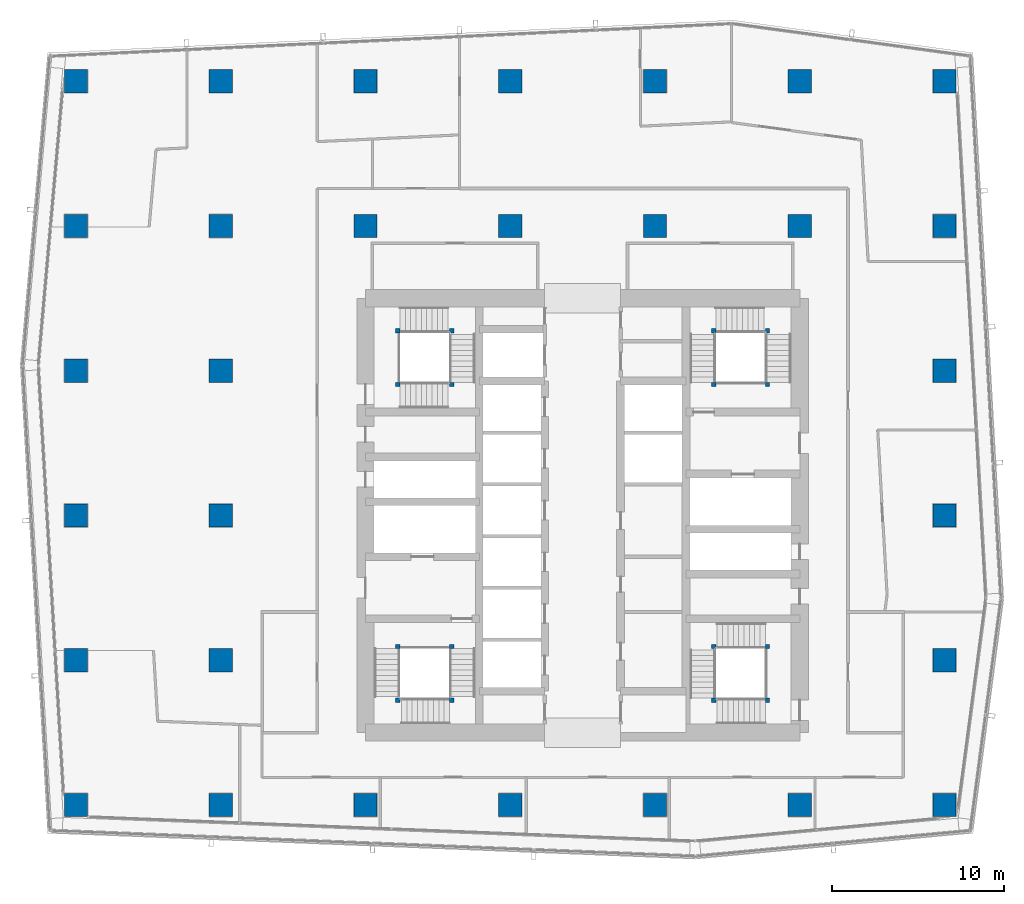
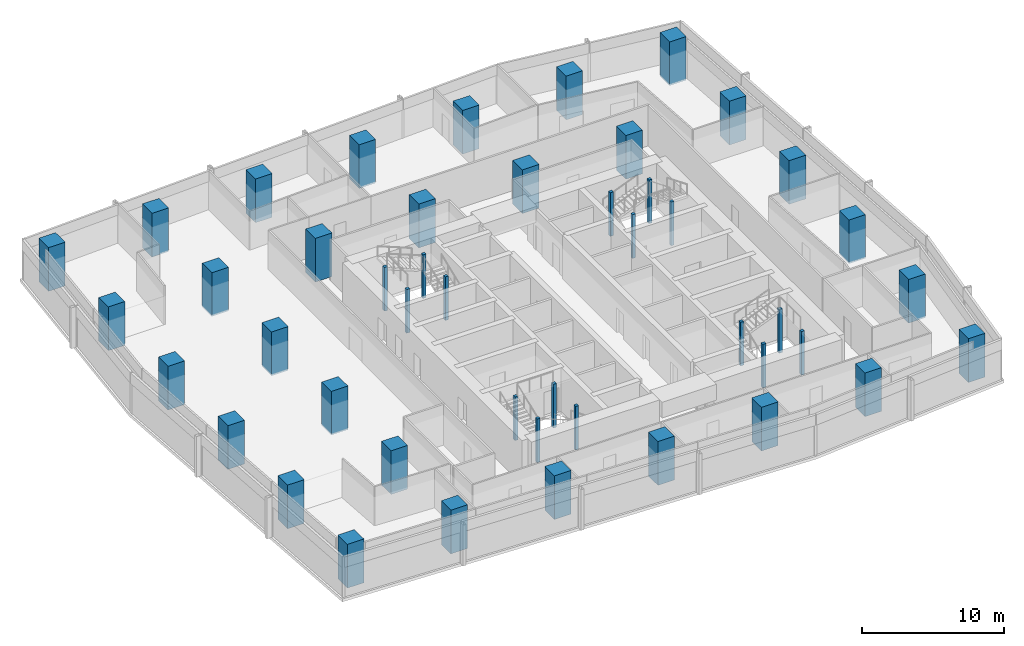
# One storey, part 1 of 40: 46 columns.
"""IFC4 building model written with IfcOpenShell, lengths in metres."""

from ifc_helpers import new_model, si_unit, direction, frame, origin, origin_2d, place, context, subcontext, project, spatial, rectangle, extrude, material, material_profile, profile_set, type_object, element, save


model = new_model("IFC4")

# Units and contexts
model_context = context("Model", 3, precision=1e-05, world=origin(), true_north=direction((0.0, 1.0)))
body_context = subcontext(model_context, "Body", "Model", "MODEL_VIEW")
ifc_project = project(units=[si_unit("LENGTHUNIT", "METRE"), si_unit("AREAUNIT", "SQUARE_METRE"), si_unit("VOLUMEUNIT", "CUBIC_METRE"), si_unit("PLANEANGLEUNIT", "RADIAN"), si_unit("MASSUNIT", "GRAM", prefix="KILO")], contexts=[model_context])

# Site, building, storey
site_placement = place(None, origin())
site = spatial("IfcSite", under=ifc_project, at=site_placement, CompositionType="ELEMENT")
building_placement = place(site_placement, origin())
building = spatial("IfcBuilding", under=site, at=building_placement, Name="Rekha Terrace Tower", CompositionType="ELEMENT")
storey_placement = place(building_placement, frame((0.0, 0.0, 213.949951171875)))
storey = spatial("IfcBuildingStorey", under=building, at=storey_placement, Name="L54", CompositionType="ELEMENT", Elevation=213.949951171875)

# Columns
ifc_material_1 = material(Name="Concrete M70", Category="concrete")
ifc_material_profile_1 = material_profile(ifc_material_1, rectangle(XDim=1.35009765625, YDim=1.35009765625, at=origin_2d()), Name="RC 1350x1350")
ifc_profile_set_1 = profile_set([ifc_material_profile_1], Name="Concrete M70")
column_type_1 = type_object("IfcColumnType", Name="C4 1350x1350 column", PredefinedType="COLUMN", material=ifc_profile_set_1)
for number, where, z_axis, x_axis, name in (
    (1, (8.39990234375, 16.800048828125, 0.0), (0.0, 0.0, 1.0), (1.0, 0.0, 0.0), "Column C4 2/C L54"),
    (2, (8.39990234375, 25.199951171875, 0.0), (0.0, 0.0, 1.0), (1.0, 0.0, 0.0), "Column C4 2/D L54"),
    (3, (8.39990234375, 33.60009765625, 0.0), (0.0, 0.0, 1.0), (1.0, 0.0, 0.0), "Column C4 2/E L54"),
    (4, (8.39990234375, 42.0, 0.0), (0.0, 0.0, 1.0), (1.0, 0.0, 0.0), "Column C4 2/F L54"),
    (5, (8.39990234375, 50.39990234375, 0.0), (0.0, 0.0, 1.0), (1.0, 0.0, 0.0), "Column C4 2/G L54"),
    (6, (8.39990234375, 58.800048828125, 0.0), (0.0, 0.0, 1.0), (1.0, 0.0, 0.0), "Column C4 2/H L54"),
    (7, (16.800048828125, 16.800048828125, 0.0), (0.0, 0.0, 1.0), (1.0, 0.0, 0.0), "Column C4 3/C L54"),
    (8, (16.800048828125, 25.199951171875, 0.0), (0.0, 0.0, 1.0), (1.0, 0.0, 0.0), "Column C4 3/D L54"),
    (9, (16.800048828125, 33.60009765625, 0.0), (0.0, 0.0, 1.0), (1.0, 0.0, 0.0), "Column C4 3/E L54"),
    (10, (16.800048828125, 42.0, 0.0), (0.0, 0.0, 1.0), (1.0, 0.0, 0.0), "Column C4 3/F L54"),
    (11, (16.800048828125, 50.39990234375, 0.0), (0.0, 0.0, 1.0), (1.0, 0.0, 0.0), "Column C4 3/G L54"),
    (12, (16.800048828125, 58.800048828125, 0.0), (0.0, 0.0, 1.0), (1.0, 0.0, 0.0), "Column C4 3/H L54"),
    (13, (25.199951171875, 16.800048828125, 0.0), (0.0, 0.0, 1.0), (1.0, 0.0, 0.0), "Column C4 4/C L54"),
    (14, (25.199951171875, 50.39990234375, 0.0), (0.0, 0.0, 1.0), (1.0, 0.0, 0.0), "Column C4 4/G L54"),
    (15, (25.199951171875, 58.800048828125, 0.0), (0.0, 0.0, 1.0), (1.0, 0.0, 0.0), "Column C4 4/H L54"),
    (16, (33.60009765625, 16.800048828125, 0.0), (0.0, 0.0, 1.0), (1.0, 0.0, 0.0), "Column C4 5/C L54"),
    (17, (33.60009765625, 50.39990234375, 0.0), (0.0, 0.0, 1.0), (1.0, 0.0, 0.0), "Column C4 5/G L54"),
    (18, (33.60009765625, 58.800048828125, 0.0), (0.0, 0.0, 1.0), (1.0, 0.0, 0.0), "Column C4 5/H L54"),
    (19, (42.0, 16.800048828125, 0.0), (0.0, 0.0, 1.0), (1.0, 0.0, 0.0), "Column C4 6/C L54"),
    (20, (42.0, 50.39990234375, 0.0), (0.0, 0.0, 1.0), (1.0, 0.0, 0.0), "Column C4 6/G L54"),
    (21, (42.0, 58.800048828125, 0.0), (0.0, 0.0, 1.0), (1.0, 0.0, 0.0), "Column C4 6/H L54"),
    (22, (50.39990234375, 16.800048828125, 0.0), (0.0, 0.0, 1.0), (1.0, 0.0, 0.0), "Column C4 7/C L54"),
    (23, (50.39990234375, 50.39990234375, 0.0), (0.0, 0.0, 1.0), (1.0, 0.0, 0.0), "Column C4 7/G L54"),
    (24, (50.39990234375, 58.800048828125, 0.0), (0.0, 0.0, 1.0), (1.0, 0.0, 0.0), "Column C4 7/H L54"),
    (25, (58.800048828125, 16.800048828125, 0.0), (0.0, 0.0, 1.0), (1.0, 0.0, 0.0), "Column C4 8/C L54"),
    (26, (58.800048828125, 25.199951171875, 0.0), (0.0, 0.0, 1.0), (1.0, 0.0, 0.0), "Column C4 8/D L54"),
    (27, (58.800048828125, 33.60009765625, 0.0), (0.0, 0.0, 1.0), (1.0, 0.0, 0.0), "Column C4 8/E L54"),
    (28, (58.800048828125, 42.0, 0.0), (0.0, 0.0, 1.0), (1.0, 0.0, 0.0), "Column C4 8/F L54"),
    (29, (58.800048828125, 50.39990234375, 0.0), (0.0, 0.0, 1.0), (1.0, 0.0, 0.0), "Column C4 8/G L54"),
    (30, (58.800048828125, 58.800048828125, 0.0), (0.0, 0.0, 1.0), (1.0, 0.0, 0.0), "Column C4 8/H L54"),
):
    element("IfcColumn", number, at=place(storey_placement, frame(where, z_axis=z_axis, x_axis=x_axis)), inside=storey, type_object=column_type_1, Name=name, PredefinedType="COLUMN", context=body_context, shape_type="SweptSolid", body=[
        extrude(rectangle(XDim=1.35009765625, YDim=1.35009765625, at=origin_2d()), origin(), (0.0, 0.0, 1.0), 3.75),
    ])
ifc_material_2 = material(Name="Concrete M60", Category="concrete")
ifc_material_profile_2 = material_profile(ifc_material_2, rectangle(XDim=0.25, YDim=0.25, at=origin_2d()), Name="RC 250x250")
ifc_profile_set_2 = profile_set([ifc_material_profile_2], Name="Concrete M60")
column_type_2 = type_object("IfcColumnType", Name="NP1 250x250 stair newel post", PredefinedType="COLUMN", material=ifc_profile_set_2)
for number, where, z_axis, x_axis, name in (
    (31, (30.199951171875, 26.0, 0.0), (0.0, 0.0, 1.0), (1.0, 0.0, 0.0), "Stair newel post NP1"),
    (32, (30.199951171875, 22.875, 0.0), (0.0, 0.0, 1.0), (1.0, 0.0, 0.0), "Stair newel post NP1"),
    (33, (27.074951171875, 22.875, 0.0), (0.0, 0.0, 1.0), (1.0, 0.0, 0.0), "Stair newel post NP1"),
    (34, (27.074951171875, 26.0, 0.0), (0.0, 0.0, 1.0), (1.0, 0.0, 0.0), "Stair newel post NP1"),
    (35, (45.39990234375, 41.199951171875, 0.0), (0.0, 0.0, 1.0), (1.0, 0.0, 0.0), "Stair newel post NP1"),
    (36, (45.39990234375, 44.324951171875, 0.0), (0.0, 0.0, 1.0), (1.0, 0.0, 0.0), "Stair newel post NP1"),
    (37, (48.52490234375, 44.324951171875, 0.0), (0.0, 0.0, 1.0), (1.0, 0.0, 0.0), "Stair newel post NP1"),
    (38, (48.52490234375, 41.199951171875, 0.0), (0.0, 0.0, 1.0), (1.0, 0.0, 0.0), "Stair newel post NP1"),
    (39, (48.52490234375, 22.875, 0.0), (0.0, 0.0, 1.0), (1.0, 0.0, 0.0), "Stair newel post NP1"),
    (40, (45.39990234375, 22.875, 0.0), (0.0, 0.0, 1.0), (1.0, 0.0, 0.0), "Stair newel post NP1"),
    (41, (45.39990234375, 26.0, 0.0), (0.0, 0.0, 1.0), (1.0, 0.0, 0.0), "Stair newel post NP1"),
    (42, (48.52490234375, 26.0, 0.0), (0.0, 0.0, 1.0), (1.0, 0.0, 0.0), "Stair newel post NP1"),
    (43, (27.074951171875, 41.199951171875, 0.0), (0.0, 0.0, 1.0), (1.0, 0.0, 0.0), "Stair newel post NP1"),
    (44, (30.199951171875, 41.199951171875, 0.0), (0.0, 0.0, 1.0), (1.0, 0.0, 0.0), "Stair newel post NP1"),
    (45, (30.199951171875, 44.324951171875, 0.0), (0.0, 0.0, 1.0), (1.0, 0.0, 0.0), "Stair newel post NP1"),
    (46, (27.074951171875, 44.324951171875, 0.0), (0.0, 0.0, 1.0), (1.0, 0.0, 0.0), "Stair newel post NP1"),
):
    element("IfcColumn", number, at=place(storey_placement, frame(where, z_axis=z_axis, x_axis=x_axis)), inside=storey, type_object=column_type_2, Name=name, PredefinedType="COLUMN", context=body_context, shape_type="SweptSolid", body=[
        extrude(rectangle(XDim=0.25, YDim=0.25, at=origin_2d()), origin(), (0.0, 0.0, 1.0), 3.75),
    ])

save(model, "model.ifc")
